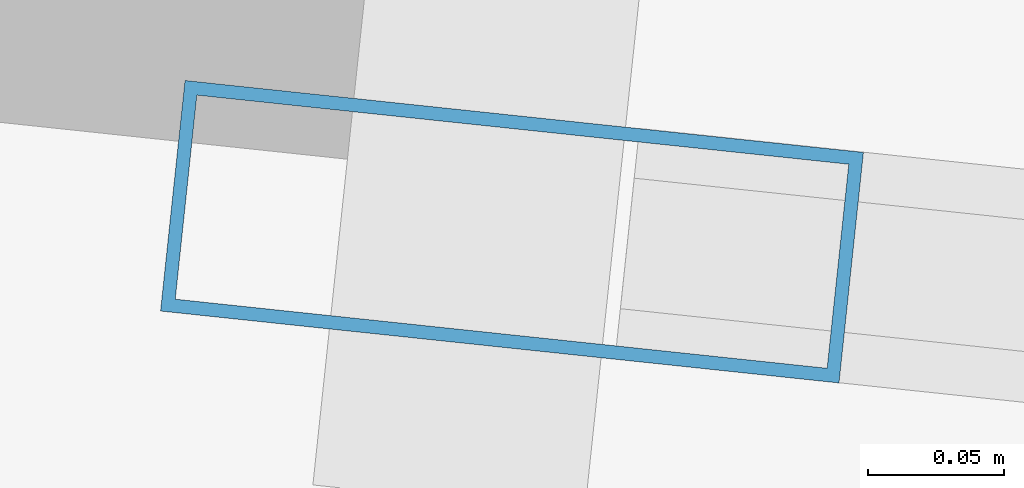
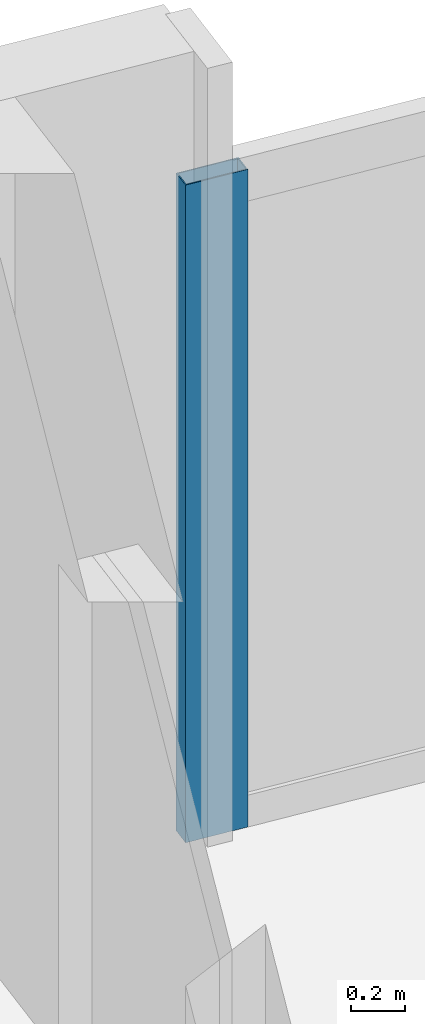
# One storey, part 15 of 24: 1 member, 1 element without a shape of its own.
"""IFC4 building model written with IfcOpenShell, lengths in metres."""

from ifc_helpers import new_model, si_unit, direction, frame, origin, origin_2d, place, context, subcontext, project, spatial, hollow_rectangle, extrude, material, material_profile, profile_set, type_object, element, aggregate, save


model = new_model("IFC4")

# Units and contexts
model_context = context("Model", 3, precision=1e-05, world=origin(), true_north=direction((0.0, 1.0)))
body_context = subcontext(model_context, "Body", "Model", "MODEL_VIEW")
ifc_project = project(units=[si_unit("LENGTHUNIT", "METRE"), si_unit("AREAUNIT", "SQUARE_METRE"), si_unit("VOLUMEUNIT", "CUBIC_METRE"), si_unit("PLANEANGLEUNIT", "RADIAN"), si_unit("MASSUNIT", "GRAM", prefix="KILO")], contexts=[model_context])

# Site, building, storey
site_placement = place(None, origin())
site = spatial("IfcSite", under=ifc_project, at=site_placement, CompositionType="ELEMENT")
building_placement = place(site_placement, origin())
building = spatial("IfcBuilding", under=site, at=building_placement, Name="Haldenkirk Collegiate Tower", CompositionType="ELEMENT")
storey_placement = place(building_placement, frame((0.0, 0.0, 310.199951171875)))
storey = spatial("IfcBuildingStorey", under=building, at=storey_placement, Name="L78", CompositionType="ELEMENT", Elevation=310.199951171875)

# Curtain wall, member
ifc_material = material(Name="Anodised architectural bronze aluminium", Category="aluminium")
curtain_wall_type = type_object("IfcCurtainWallType", Name="CW-SYS1B-CONVEX-HI", PredefinedType="USERDEFINED", material=ifc_material)
curtain_wall_placement = place(storey_placement, origin())
curtain_wall = element("IfcCurtainWall", 1, at=curtain_wall_placement, inside=storey, type_object=curtain_wall_type, Name="L78 Upper tower high-wind convex bronze unitised curtain wall", ObjectType="UNITISED CURTAIN WALL", PredefinedType="USERDEFINED")
ifc_material_profile = material_profile(ifc_material, hollow_rectangle(XDim=0.0849609375, YDim=0.25, WallThickness=0.0048828125, at=origin_2d()), Name="CW-MUL-1B")
ifc_profile_set = profile_set([ifc_material_profile], Name="Anodised architectural bronze aluminium")
member_type = type_object("IfcMemberType", Name="CW-MUL-1B", PredefinedType="MULLION", material=ifc_profile_set)
member_placement = place(storey_placement, frame((20.803955078125, 50.156005859375, 0.0), z_axis=(0.0, 0.0, 1.0), x_axis=(0.10539279234, 0.994430670948, 0.0)))
member = element("IfcMember", 2, at=member_placement, type_object=member_type, Name="CW-1B mullion 1", PredefinedType="MULLION", context=body_context, shape_type="SweptSolid", body=[
    extrude(hollow_rectangle(XDim=0.0849609375, YDim=0.25, WallThickness=0.0048828125, at=origin_2d()), origin(), (0.0, 0.0, 1.0), 2.947998046875),
])
aggregate(curtain_wall, [member])

save(model, "model.ifc")
